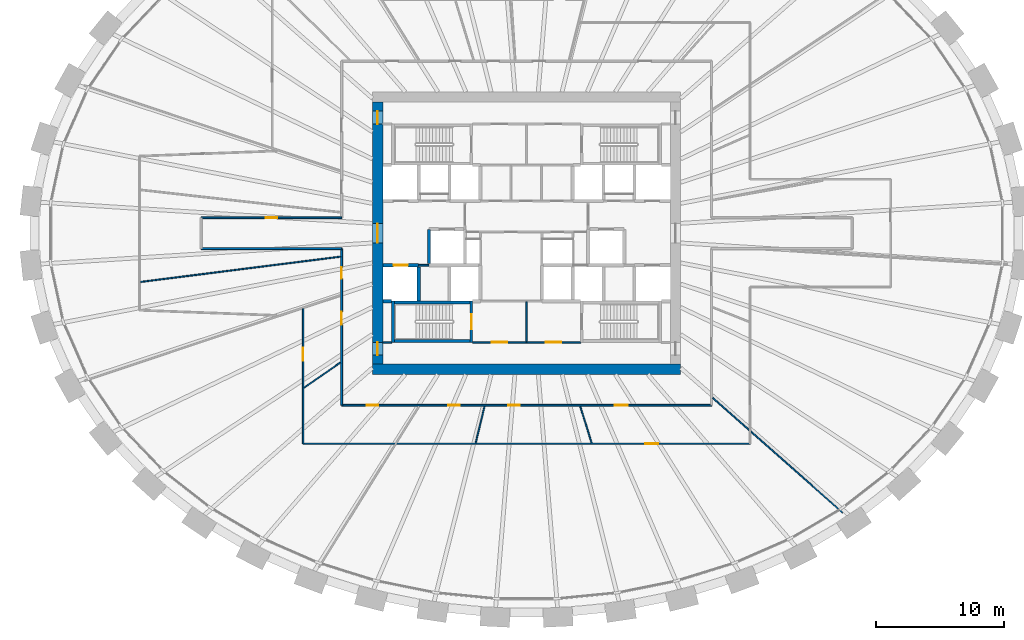
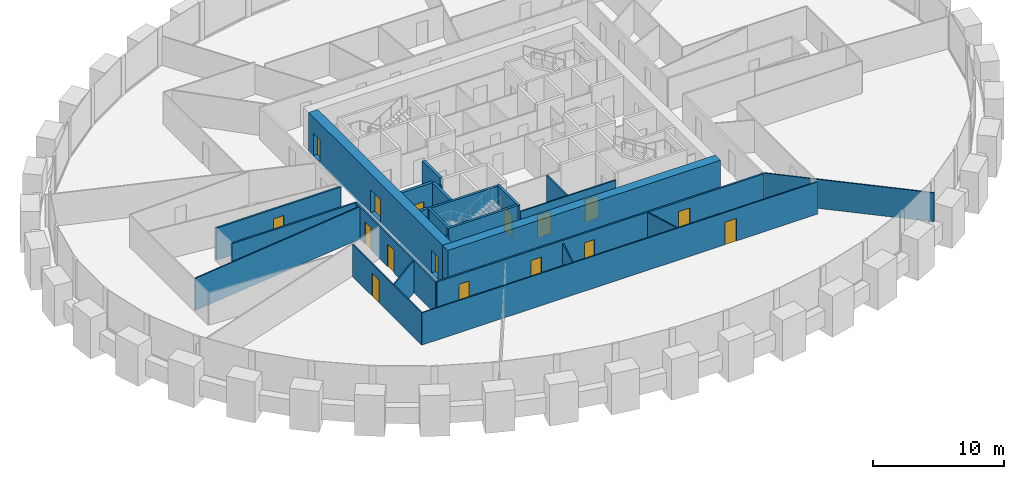
# One storey, part 6 of 11: 25 walls, 16 doors, 16 openings.
"""IFC4 building model written with IfcOpenShell, lengths in metres."""

from ifc_helpers import new_model, si_unit, direction, frame, frame_2d, origin, place, context, subcontext, project, spatial, rectangle, extrude, source, transform, mapped, material, layer, layer_set, type_object, element, fill, save


model = new_model("IFC4")

# Units and contexts
model_context = context("Model", 3, precision=1e-05, world=origin(), true_north=direction((0.0, 1.0)))
body_context = subcontext(model_context, "Body", "Model", "MODEL_VIEW")
ifc_project = project(units=[si_unit("LENGTHUNIT", "METRE"), si_unit("AREAUNIT", "SQUARE_METRE"), si_unit("VOLUMEUNIT", "CUBIC_METRE"), si_unit("PLANEANGLEUNIT", "RADIAN"), si_unit("MASSUNIT", "GRAM", prefix="KILO")], contexts=[model_context])

# Site, building, storey
site_placement = place(None, origin())
site = spatial("IfcSite", under=ifc_project, at=site_placement, CompositionType="ELEMENT")
building_placement = place(site_placement, origin())
building = spatial("IfcBuilding", under=site, at=building_placement, Name="Embergate Tower", CompositionType="ELEMENT")
storey_placement = place(building_placement, frame((0.0, 0.0, 143.699951171875)))
storey = spatial("IfcBuildingStorey", under=building, at=storey_placement, Name="L31", CompositionType="ELEMENT", Elevation=143.699951171875)

# Wall
ifc_material_1 = material(Name="Concrete C70", Category="concrete")
ifc_layer_1 = layer(ifc_material_1, 0.800048828125)
ifc_layer_set_1 = layer_set([ifc_layer_1], Name="Concrete C70")
wall_type_1 = type_object("IfcWallType", Name="Core outer wall C70 800", PredefinedType="SHEAR", material=ifc_layer_set_1)
shared_shape_1 = source(origin(), body_context, "Body", "SweptSolid", [
    extrude(rectangle(XDim=24.0, YDim=0.800048828125, at=frame_2d((12.0, 0.0))), origin(), (0.0, 0.0, 1.0), 3.800048828125),
])
wall_1_placement = place(storey_placement, frame((-12.0, -10.60009765625, -0.199951171875), z_axis=(0.0, 0.0, 1.0), x_axis=(1.0, 0.0, 0.0)))
element("IfcWall", 1, at=wall_1_placement, inside=storey, type_object=wall_type_1, Name="CW-L31-S", PredefinedType="SHEAR", context=body_context, shape_type="MappedRepresentation", body=[
    mapped(shared_shape_1, transform((0.0, 0.0, 0.0))),
])

# Wall, openings, doors
shared_shape_2 = source(origin(), body_context, "Body", "SweptSolid", [
    extrude(rectangle(XDim=20.39990234375, YDim=0.800048828125, at=frame_2d((10.199951171875, 0.0))), origin(), (0.0, 0.0, 1.0), 3.800048828125),
])
wall_2_placement = place(storey_placement, frame((-11.60009765625, -10.199951171875, -0.199951171875), z_axis=(0.0, 0.0, 1.0), x_axis=(0.0, 1.0, 0.0)))
wall_2 = element("IfcWall", 2, at=wall_2_placement, inside=storey, type_object=wall_type_1, Name="CW-L31-W", PredefinedType="SHEAR", context=body_context, shape_type="MappedRepresentation", body=[
    mapped(shared_shape_2, transform((0.0, 0.0, 0.0))),
])
shared_shape_3 = source(origin(), body_context, "Body", "SweptSolid", [
    extrude(rectangle(XDim=1.0, YDim=2.10009765625, at=frame_2d((0.5, 1.050048828125))), frame((0.0, 0.409912109375, 0.0), z_axis=(0.0, -1.0, 0.0), x_axis=(1.0, 0.0, 0.0)), (0.0, 0.0, 1.0), 0.820068359375),
])
opening_1_placement = place(wall_2_placement, frame((18.699951171875, 0.0, 0.199951171875)))
opening_1 = element("IfcOpeningElement", 3, at=opening_1_placement, cuts=wall_2, Name="Opening IF-1d", PredefinedType="OPENING", context=body_context, shape_type="MappedRepresentation", body=[
    mapped(shared_shape_3, transform((0.0, 0.0, 0.0))),
])
opening_2_placement = place(wall_2_placement, frame((0.699951171875, 0.0, 0.199951171875)))
opening_2 = element("IfcOpeningElement", 4, at=opening_2_placement, cuts=wall_2, Name="Opening IF-1d", PredefinedType="OPENING", context=body_context, shape_type="MappedRepresentation", body=[
    mapped(shared_shape_3, transform((0.0, 0.0, 0.0))),
])
shared_shape_4 = source(origin(), body_context, "Body", "SweptSolid", [
    extrude(rectangle(XDim=1.5, YDim=2.10009765625, at=frame_2d((0.75, 1.050048828125))), frame((0.0, 0.409912109375, 0.0), z_axis=(0.0, -1.0, 0.0), x_axis=(1.0, 0.0, 0.0)), (0.0, 0.0, 1.0), 0.820068359375),
])
opening_3_placement = place(wall_2_placement, frame((9.449951171875, 0.0, 0.199951171875)))
opening_3 = element("IfcOpeningElement", 5, at=opening_3_placement, cuts=wall_2, Name="Opening IF-3", PredefinedType="OPENING", context=body_context, shape_type="MappedRepresentation", body=[
    mapped(shared_shape_4, transform((0.0, 0.0, 0.0))),
])
ifc_material_2 = material(Name="Lobby fire door pair 1500")
door_type_1 = type_object("IfcDoorType", Name="Lobby fire door pair 1500", OperationType="DOUBLE_DOOR_SINGLE_SWING", PredefinedType="DOOR", material=ifc_material_2)
shared_shape_5 = source(origin(), body_context, "Body", "SweptSolid", [
    extrude(rectangle(XDim=1.5, YDim=2.10009765625, at=frame_2d((0.75, 1.050048828125))), frame((0.0, 0.02490234375, 0.0), z_axis=(0.0, -1.0, 0.0), x_axis=(1.0, 0.0, 0.0)), (0.0, 0.0, 1.0), 0.050048828125),
])
door_1_placement = place(opening_3_placement, origin())
door_1 = element("IfcDoor", 6, at=door_1_placement, inside=storey, type_object=door_type_1, Name="IF-3 door", OperationType="DOUBLE_DOOR_SINGLE_SWING", OverallHeight=2.10009765625, OverallWidth=1.5, PredefinedType="DOOR", context=body_context, shape_type="MappedRepresentation", body=[
    mapped(shared_shape_5, transform((0.0, 0.0, 0.0))),
])
fill(opening_3, door_1)
ifc_material_3 = material(Name="Escape fire door 1000")
door_type_2 = type_object("IfcDoorType", Name="Escape fire door 1000", OperationType="SINGLE_SWING_LEFT", PredefinedType="DOOR", material=ifc_material_3)
shared_shape_6 = source(origin(), body_context, "Body", "SweptSolid", [
    extrude(rectangle(XDim=1.0, YDim=2.10009765625, at=frame_2d((0.5, 1.050048828125))), frame((0.0, 0.02490234375, 0.0), z_axis=(0.0, -1.0, 0.0), x_axis=(1.0, 0.0, 0.0)), (0.0, 0.0, 1.0), 0.050048828125),
])
door_2_placement = place(opening_1_placement, origin())
door_2 = element("IfcDoor", 7, at=door_2_placement, inside=storey, type_object=door_type_2, Name="IF-1 door", OperationType="SINGLE_SWING_LEFT", OverallHeight=2.10009765625, OverallWidth=1.0, PredefinedType="DOOR", context=body_context, shape_type="MappedRepresentation", body=[
    mapped(shared_shape_6, transform((0.0, 0.0, 0.0))),
])
fill(opening_1, door_2)
door_3_placement = place(opening_2_placement, origin())
door_3 = element("IfcDoor", 8, at=door_3_placement, inside=storey, type_object=door_type_2, Name="IF-1 door", OperationType="SINGLE_SWING_RIGHT", OverallHeight=2.10009765625, OverallWidth=1.0, PredefinedType="DOOR", context=body_context, shape_type="MappedRepresentation", body=[
    mapped(shared_shape_6, transform((0.0, 0.0, 0.0))),
])
fill(opening_2, door_3)

# Walls
ifc_material_4 = material(Name="Concrete C50", Category="concrete")
ifc_layer_2 = layer(ifc_material_4, 0.25)
ifc_layer_set_2 = layer_set([ifc_layer_2], Name="Concrete C50")
wall_type_2 = type_object("IfcWallType", Name="Hoistway wall reinforced concrete 250", PredefinedType="SHEAR", material=ifc_layer_set_2)
shared_shape_7 = source(origin(), body_context, "Body", "SweptSolid", [
    extrude(rectangle(XDim=2.675048828125, YDim=0.25, at=frame_2d((1.33740234375, 0.0))), origin(), (0.0, 0.0, 1.0), 3.60009765625),
])
wall_3_placement = place(storey_placement, frame((-7.60009765625, 0.300048828125, 0.0), z_axis=(0.0, 0.0, 1.0), x_axis=(0.0, -1.0, 0.0)))
element("IfcWall", 9, at=wall_3_placement, inside=storey, type_object=wall_type_2, Name="HW-1 wall", PredefinedType="SHEAR", context=body_context, shape_type="MappedRepresentation", body=[
    mapped(shared_shape_7, transform((0.0, 0.0, 0.0))),
])
ifc_layer_3 = layer(ifc_material_4, 0.199951171875)
ifc_layer_set_3 = layer_set([ifc_layer_3], Name="Concrete C50")
wall_type_3 = type_object("IfcWallType", Name="Stair enclosure wall reinforced concrete 250", PredefinedType="SHEAR", material=ifc_layer_set_3)
shared_shape_8 = source(origin(), body_context, "Body", "SweptSolid", [
    extrude(rectangle(XDim=6.300048828125, YDim=0.199951171875, at=frame_2d((3.14990234375, 0.0))), origin(), (0.0, 0.0, 1.0), 3.60009765625),
])
for number, where, z_axis, x_axis, name in (
    (10, (-10.5, -5.39990234375, 0.0), (0.0, 0.0, 1.0), (1.0, 0.0, 0.0), "SE-1 wall"),
    (11, (-10.5, -8.39990234375, 0.0), (0.0, 0.0, 1.0), (1.0, 0.0, 0.0), "SE-1 wall"),
):
    element("IfcWall", number, at=place(storey_placement, frame(where, z_axis=z_axis, x_axis=x_axis)), inside=storey, type_object=wall_type_3, Name=name, PredefinedType="SHEAR", context=body_context, shape_type="MappedRepresentation", body=[
        mapped(shared_shape_8, transform((0.0, 0.0, 0.0))),
    ])

# Wall, opening, door
shared_shape_9 = source(origin(), body_context, "Body", "SweptSolid", [
    extrude(rectangle(XDim=3.199951171875, YDim=0.199951171875, at=frame_2d((1.60009765625, 0.0))), origin(), (0.0, 0.0, 1.0), 3.60009765625),
])
wall_4_placement = place(storey_placement, frame((-4.300048828125, -8.5, 0.0), z_axis=(0.0, 0.0, 1.0), x_axis=(0.0, 1.0, 0.0)))
wall_4 = element("IfcWall", 12, at=wall_4_placement, inside=storey, type_object=wall_type_3, Name="SE-1 wall", PredefinedType="SHEAR", context=body_context, shape_type="MappedRepresentation", body=[
    mapped(shared_shape_9, transform((0.0, 0.0, 0.0))),
])
shared_shape_10 = source(origin(), body_context, "Body", "SweptSolid", [
    extrude(rectangle(XDim=1.199951171875, YDim=2.10009765625, at=frame_2d((0.60009765625, 1.050048828125))), frame((0.0, 0.10986328125, 0.0), z_axis=(0.0, -1.0, 0.0), x_axis=(1.0, 0.0, 0.0)), (0.0, 0.0, 1.0), 0.219970703125),
])
opening_4_placement = place(wall_4_placement, frame((1.0, 0.0, 0.0)))
opening_4 = element("IfcOpeningElement", 13, at=opening_4_placement, cuts=wall_4, Name="Opening IF-2", PredefinedType="OPENING", context=body_context, shape_type="MappedRepresentation", body=[
    mapped(shared_shape_10, transform((0.0, 0.0, 0.0))),
])
ifc_material_5 = material(Name="Stair enclosure door 1200")
door_type_3 = type_object("IfcDoorType", Name="Stair enclosure door 1200", OperationType="SINGLE_SWING_LEFT", PredefinedType="DOOR", material=ifc_material_5)
shared_shape_11 = source(origin(), body_context, "Body", "SweptSolid", [
    extrude(rectangle(XDim=1.199951171875, YDim=2.10009765625, at=frame_2d((0.60009765625, 1.050048828125))), frame((0.0, 0.02490234375, 0.0), z_axis=(0.0, -1.0, 0.0), x_axis=(1.0, 0.0, 0.0)), (0.0, 0.0, 1.0), 0.050048828125),
])
door_4_placement = place(opening_4_placement, origin())
door_4 = element("IfcDoor", 14, at=door_4_placement, inside=storey, type_object=door_type_3, Name="IF-2 door", OperationType="SINGLE_SWING_RIGHT", OverallHeight=2.10009765625, OverallWidth=1.199951171875, PredefinedType="DOOR", context=body_context, shape_type="MappedRepresentation", body=[
    mapped(shared_shape_11, transform((0.0, 0.0, 0.0))),
])
fill(opening_4, door_4)

# Wall, openings, doors
ifc_material_6 = material(Name="Core partition blockwork 120")
ifc_layer_4 = layer(ifc_material_6, 0.1201171875)
ifc_layer_set_4 = layer_set([ifc_layer_4], Name="Core partition blockwork 120")
wall_type_4 = type_object("IfcWallType", Name="Core partition blockwork 120", PredefinedType="PARTITIONING", material=ifc_layer_set_4)
shared_shape_12 = source(origin(), body_context, "Body", "SweptSolid", [
    extrude(rectangle(XDim=8.39990234375, YDim=0.1201171875, at=frame_2d((4.199951171875, 0.0))), origin(), (0.0, 0.0, 1.0), 3.0),
])
wall_5_placement = place(storey_placement, frame((-4.199951171875, -8.5, 0.0), z_axis=(0.0, 0.0, 1.0), x_axis=(1.0, 0.0, 0.0)))
wall_5 = element("IfcWall", 15, at=wall_5_placement, inside=storey, type_object=wall_type_4, Name="IP-3 wall", PredefinedType="PARTITIONING", context=body_context, shape_type="MappedRepresentation", body=[
    mapped(shared_shape_12, transform((0.0, 0.0, 0.0))),
])
shared_shape_13 = source(origin(), body_context, "Body", "SweptSolid", [
    extrude(rectangle(XDim=1.199951171875, YDim=2.10009765625, at=frame_2d((0.60009765625, 1.050048828125))), frame((0.0, 0.070068359375, 0.0), z_axis=(0.0, -1.0, 0.0), x_axis=(1.0, 0.0, 0.0)), (0.0, 0.0, 1.0), 0.14013671875),
])
opening_5_placement = place(wall_5_placement, frame((1.5, 0.0, 0.0)))
opening_5 = element("IfcOpeningElement", 16, at=opening_5_placement, cuts=wall_5, Name="Opening IF-3f", PredefinedType="OPENING", context=body_context, shape_type="MappedRepresentation", body=[
    mapped(shared_shape_13, transform((0.0, 0.0, 0.0))),
])
opening_6_placement = place(wall_5_placement, frame((5.699951171875, 0.0, 0.0)))
opening_6 = element("IfcOpeningElement", 17, at=opening_6_placement, cuts=wall_5, Name="Opening IF-3f", PredefinedType="OPENING", context=body_context, shape_type="MappedRepresentation", body=[
    mapped(shared_shape_13, transform((0.0, 0.0, 0.0))),
])
ifc_material_7 = material(Name="Lobby fire door pair 1200")
door_type_4 = type_object("IfcDoorType", Name="Lobby fire door pair 1200", OperationType="DOUBLE_DOOR_SINGLE_SWING", PredefinedType="DOOR", material=ifc_material_7)
door_5_placement = place(opening_5_placement, origin())
door_5 = element("IfcDoor", 18, at=door_5_placement, inside=storey, type_object=door_type_4, Name="IF-3 door", OperationType="DOUBLE_DOOR_SINGLE_SWING", OverallHeight=2.10009765625, OverallWidth=1.199951171875, PredefinedType="DOOR", context=body_context, shape_type="MappedRepresentation", body=[
    mapped(shared_shape_11, transform((0.0, 0.0, 0.0))),
])
fill(opening_5, door_5)
door_6_placement = place(opening_6_placement, origin())
door_6 = element("IfcDoor", 19, at=door_6_placement, inside=storey, type_object=door_type_4, Name="IF-3 door", OperationType="DOUBLE_DOOR_SINGLE_SWING", OverallHeight=2.10009765625, OverallWidth=1.199951171875, PredefinedType="DOOR", context=body_context, shape_type="MappedRepresentation", body=[
    mapped(shared_shape_11, transform((0.0, 0.0, 0.0))),
])
fill(opening_6, door_6)

ifc_material_8 = material(Name="Corridor wall dry-lined 150")
ifc_layer_5 = layer(ifc_material_8, 0.14990234375)
ifc_layer_set_5 = layer_set([ifc_layer_5], Name="Corridor wall dry-lined 150")
wall_type_5 = type_object("IfcWallType", Name="Corridor wall dry-lined 150", PredefinedType="PARTITIONING", material=ifc_layer_set_5)
shared_shape_14 = source(origin(), body_context, "Body", "SweptSolid", [
    extrude(rectangle(XDim=12.199951171875, YDim=0.14990234375, at=frame_2d((6.10009765625, 0.0))), origin(), (0.0, 0.0, 1.0), 3.0),
])
wall_6_placement = place(storey_placement, frame((-14.39990234375, -13.39990234375, 0.0), z_axis=(0.0, 0.0, 1.0), x_axis=(0.0, 1.0, 0.0)))
wall_6 = element("IfcWall", 20, at=wall_6_placement, inside=storey, type_object=wall_type_5, Name="IP-2 wall", PredefinedType="PARTITIONING", context=body_context, shape_type="MappedRepresentation", body=[
    mapped(shared_shape_14, transform((0.0, 0.0, 0.0))),
])
shared_shape_15 = source(origin(), body_context, "Body", "SweptSolid", [
    extrude(rectangle(XDim=1.0, YDim=2.10009765625, at=frame_2d((0.5, 1.050048828125))), frame((0.0, 0.0849609375, 0.0), z_axis=(0.0, -1.0, 0.0), x_axis=(1.0, 0.0, 0.0)), (0.0, 0.0, 1.0), 0.169921875),
])
opening_7_placement = place(wall_6_placement, frame((6.282958984375, 0.0, 0.0)))
opening_7 = element("IfcOpeningElement", 21, at=opening_7_placement, cuts=wall_6, Name="Opening ID-2", PredefinedType="OPENING", context=body_context, shape_type="MappedRepresentation", body=[
    mapped(shared_shape_15, transform((0.0, 0.0, 0.0))),
])
shared_shape_16 = source(origin(), body_context, "Body", "SweptSolid", [
    extrude(rectangle(XDim=0.89990234375, YDim=2.10009765625, at=frame_2d((0.449951171875, 1.050048828125))), frame((0.0, 0.0849609375, 0.0), z_axis=(0.0, -1.0, 0.0), x_axis=(1.0, 0.0, 0.0)), (0.0, 0.0, 1.0), 0.169921875),
])
opening_8_placement = place(wall_6_placement, frame((9.843994140625, 0.0, 0.0)))
opening_8 = element("IfcOpeningElement", 22, at=opening_8_placement, cuts=wall_6, Name="Opening IF-1c", PredefinedType="OPENING", context=body_context, shape_type="MappedRepresentation", body=[
    mapped(shared_shape_16, transform((0.0, 0.0, 0.0))),
])
ifc_material_9 = material(Name="Escape fire door 900")
door_type_5 = type_object("IfcDoorType", Name="Escape fire door 900", OperationType="SINGLE_SWING_LEFT", PredefinedType="DOOR", material=ifc_material_9)
shared_shape_17 = source(origin(), body_context, "Body", "SweptSolid", [
    extrude(rectangle(XDim=0.89990234375, YDim=2.10009765625, at=frame_2d((0.449951171875, 1.050048828125))), frame((0.0, 0.02490234375, 0.0), z_axis=(0.0, -1.0, 0.0), x_axis=(1.0, 0.0, 0.0)), (0.0, 0.0, 1.0), 0.050048828125),
])
door_7_placement = place(opening_8_placement, origin())
door_7 = element("IfcDoor", 23, at=door_7_placement, inside=storey, type_object=door_type_5, Name="IF-1 door", OperationType="SINGLE_SWING_RIGHT", OverallHeight=2.10009765625, OverallWidth=0.89990234375, PredefinedType="DOOR", context=body_context, shape_type="MappedRepresentation", body=[
    mapped(shared_shape_17, transform((0.0, 0.0, 0.0))),
])
fill(opening_8, door_7)
ifc_material_10 = material(Name="Interior door 1000")
door_type_6 = type_object("IfcDoorType", Name="Interior door 1000", OperationType="SINGLE_SWING_LEFT", PredefinedType="DOOR", material=ifc_material_10)
door_8_placement = place(opening_7_placement, origin())
door_8 = element("IfcDoor", 24, at=door_8_placement, inside=storey, type_object=door_type_6, Name="ID-2 door", OperationType="SINGLE_SWING_RIGHT", OverallHeight=2.10009765625, OverallWidth=1.0, PredefinedType="DOOR", context=body_context, shape_type="MappedRepresentation", body=[
    mapped(shared_shape_6, transform((0.0, 0.0, 0.0))),
])
fill(opening_7, door_8)

shared_shape_18 = source(origin(), body_context, "Body", "SweptSolid", [
    extrude(rectangle(XDim=28.7998046875, YDim=0.14990234375, at=frame_2d((14.39990234375, 0.0))), origin(), (0.0, 0.0, 1.0), 3.0),
])
wall_7_placement = place(storey_placement, frame((14.39990234375, -13.39990234375, 0.0), z_axis=(0.0, 0.0, 1.0), x_axis=(-1.0, 0.0, 0.0)))
wall_7 = element("IfcWall", 25, at=wall_7_placement, inside=storey, type_object=wall_type_5, Name="IP-2 wall", PredefinedType="PARTITIONING", context=body_context, shape_type="MappedRepresentation", body=[
    mapped(shared_shape_18, transform((0.0, 0.0, 0.0))),
])
opening_9_placement = place(wall_7_placement, frame((25.952880859375, 0.0, 0.0)))
opening_9 = element("IfcOpeningElement", 26, at=opening_9_placement, cuts=wall_7, Name="Opening IF-1c", PredefinedType="OPENING", context=body_context, shape_type="MappedRepresentation", body=[
    mapped(shared_shape_16, transform((0.0, 0.0, 0.0))),
])
opening_10_placement = place(wall_7_placement, frame((19.595947265625, 0.0, 0.0)))
opening_10 = element("IfcOpeningElement", 27, at=opening_10_placement, cuts=wall_7, Name="Opening IF-1c", PredefinedType="OPENING", context=body_context, shape_type="MappedRepresentation", body=[
    mapped(shared_shape_16, transform((0.0, 0.0, 0.0))),
])
opening_11_placement = place(wall_7_placement, frame((14.916015625, 0.0, 0.0)))
opening_11 = element("IfcOpeningElement", 28, at=opening_11_placement, cuts=wall_7, Name="Opening IF-1c", PredefinedType="OPENING", context=body_context, shape_type="MappedRepresentation", body=[
    mapped(shared_shape_16, transform((0.0, 0.0, 0.0))),
])
opening_12_placement = place(wall_7_placement, frame((6.52587890625, 0.0, 0.0)))
opening_12 = element("IfcOpeningElement", 29, at=opening_12_placement, cuts=wall_7, Name="Opening ID-2", PredefinedType="OPENING", context=body_context, shape_type="MappedRepresentation", body=[
    mapped(shared_shape_15, transform((0.0, 0.0, 0.0))),
])
door_9_placement = place(opening_9_placement, origin())
door_9 = element("IfcDoor", 30, at=door_9_placement, inside=storey, type_object=door_type_5, Name="IF-1 door", OperationType="SINGLE_SWING_RIGHT", OverallHeight=2.10009765625, OverallWidth=0.89990234375, PredefinedType="DOOR", context=body_context, shape_type="MappedRepresentation", body=[
    mapped(shared_shape_17, transform((0.0, 0.0, 0.0))),
])
fill(opening_9, door_9)
door_10_placement = place(opening_10_placement, origin())
door_10 = element("IfcDoor", 31, at=door_10_placement, inside=storey, type_object=door_type_5, Name="IF-1 door", OperationType="SINGLE_SWING_RIGHT", OverallHeight=2.10009765625, OverallWidth=0.89990234375, PredefinedType="DOOR", context=body_context, shape_type="MappedRepresentation", body=[
    mapped(shared_shape_17, transform((0.0, 0.0, 0.0))),
])
fill(opening_10, door_10)
door_11_placement = place(opening_11_placement, origin())
door_11 = element("IfcDoor", 32, at=door_11_placement, inside=storey, type_object=door_type_5, Name="IF-1 door", OperationType="SINGLE_SWING_LEFT", OverallHeight=2.10009765625, OverallWidth=0.89990234375, PredefinedType="DOOR", context=body_context, shape_type="MappedRepresentation", body=[
    mapped(shared_shape_17, transform((0.0, 0.0, 0.0))),
])
fill(opening_11, door_11)
door_12_placement = place(opening_12_placement, origin())
door_12 = element("IfcDoor", 33, at=door_12_placement, inside=storey, type_object=door_type_6, Name="ID-2 door", OperationType="SINGLE_SWING_LEFT", OverallHeight=2.10009765625, OverallWidth=1.0, PredefinedType="DOOR", context=body_context, shape_type="MappedRepresentation", body=[
    mapped(shared_shape_6, transform((0.0, 0.0, 0.0))),
])
fill(opening_12, door_12)

# Wall
shared_shape_19 = source(origin(), body_context, "Body", "SweptSolid", [
    extrude(rectangle(XDim=10.9501953125, YDim=0.14990234375, at=frame_2d((5.47509765625, 0.0))), origin(), (0.0, 0.0, 1.0), 3.0),
])
wall_8_placement = place(storey_placement, frame((-14.39990234375, -1.199951171875, 0.0), z_axis=(0.0, 0.0, 1.0), x_axis=(-1.0, 0.0, 0.0)))
element("IfcWall", 34, at=wall_8_placement, inside=storey, type_object=wall_type_5, Name="IP-2 wall", PredefinedType="PARTITIONING", context=body_context, shape_type="MappedRepresentation", body=[
    mapped(shared_shape_19, transform((0.0, 0.0, 0.0))),
])

# Wall, opening, door
wall_9_placement = place(storey_placement, frame((-25.35009765625, 1.199951171875, 0.0), z_axis=(0.0, 0.0, 1.0), x_axis=(1.0, 0.0, 0.0)))
wall_9 = element("IfcWall", 35, at=wall_9_placement, inside=storey, type_object=wall_type_5, Name="IP-2 wall", PredefinedType="PARTITIONING", context=body_context, shape_type="MappedRepresentation", body=[
    mapped(shared_shape_19, transform((0.0, 0.0, 0.0))),
])
opening_13_placement = place(wall_9_placement, frame((5.02490234375, 0.0, 0.0)))
opening_13 = element("IfcOpeningElement", 36, at=opening_13_placement, cuts=wall_9, Name="Opening IF-1c", PredefinedType="OPENING", context=body_context, shape_type="MappedRepresentation", body=[
    mapped(shared_shape_16, transform((0.0, 0.0, 0.0))),
])
door_13_placement = place(opening_13_placement, origin())
door_13 = element("IfcDoor", 37, at=door_13_placement, inside=storey, type_object=door_type_5, Name="IF-1 door", OperationType="SINGLE_SWING_RIGHT", OverallHeight=2.10009765625, OverallWidth=0.89990234375, PredefinedType="DOOR", context=body_context, shape_type="MappedRepresentation", body=[
    mapped(shared_shape_17, transform((0.0, 0.0, 0.0))),
])
fill(opening_13, door_13)

# Wall
ifc_material_11 = material(Name="Partition dry-lined 100")
ifc_layer_6 = layer(ifc_material_11, 0.10009765625)
ifc_layer_set_6 = layer_set([ifc_layer_6], Name="Partition dry-lined 100")
wall_type_6 = type_object("IfcWallType", Name="Partition dry-lined 100", PredefinedType="PARTITIONING", material=ifc_layer_set_6)
shared_shape_20 = source(origin(), body_context, "Body", "SweptSolid", [
    extrude(rectangle(XDim=3.432373046875, YDim=0.10009765625, at=frame_2d((1.71630859375, 0.0))), origin(), (0.0, 0.0, 1.0), 3.0),
])
wall_10_placement = place(storey_placement, frame((-14.50390625, -10.077880859375, 0.0), z_axis=(0.0, 0.0, 1.0), x_axis=(-0.821068996607, -0.570828961082, 0.0)))
element("IfcWall", 38, at=wall_10_placement, inside=storey, type_object=wall_type_6, Name="IP-1 wall", PredefinedType="PARTITIONING", context=body_context, shape_type="MappedRepresentation", body=[
    mapped(shared_shape_20, transform((0.0, 0.0, 0.0))),
])

# Wall, opening, door
shared_shape_21 = source(origin(), body_context, "Body", "SweptSolid", [
    extrude(rectangle(XDim=10.518798828125, YDim=0.10009765625, at=frame_2d((5.25927734375, 0.0))), origin(), (0.0, 0.0, 1.0), 3.0),
])
wall_11_placement = place(storey_placement, frame((-17.39990234375, -16.39990234375, 0.0), z_axis=(0.0, 0.0, 1.0), x_axis=(0.0, 1.0, 0.0)))
wall_11 = element("IfcWall", 39, at=wall_11_placement, inside=storey, type_object=wall_type_6, Name="IP-1 wall", PredefinedType="PARTITIONING", context=body_context, shape_type="MappedRepresentation", body=[
    mapped(shared_shape_21, transform((0.0, 0.0, 0.0))),
])
shared_shape_22 = source(origin(), body_context, "Body", "SweptSolid", [
    extrude(rectangle(XDim=1.0, YDim=2.10009765625, at=frame_2d((0.5, 1.050048828125))), frame((0.0, 0.06005859375, 0.0), z_axis=(0.0, -1.0, 0.0), x_axis=(1.0, 0.0, 0.0)), (0.0, 0.0, 1.0), 0.1201171875),
])
opening_14_placement = place(wall_11_placement, frame((6.48095703125, 0.0, 0.0)))
opening_14 = element("IfcOpeningElement", 40, at=opening_14_placement, cuts=wall_11, Name="Opening ID-2", PredefinedType="OPENING", context=body_context, shape_type="MappedRepresentation", body=[
    mapped(shared_shape_22, transform((0.0, 0.0, 0.0))),
])
door_14_placement = place(opening_14_placement, origin())
door_14 = element("IfcDoor", 41, at=door_14_placement, inside=storey, type_object=door_type_6, Name="ID-2 door", OperationType="SINGLE_SWING_RIGHT", OverallHeight=2.10009765625, OverallWidth=1.0, PredefinedType="DOOR", context=body_context, shape_type="MappedRepresentation", body=[
    mapped(shared_shape_6, transform((0.0, 0.0, 0.0))),
])
fill(opening_14, door_14)

shared_shape_23 = source(origin(), body_context, "Body", "SweptSolid", [
    extrude(rectangle(XDim=34.7998046875, YDim=0.10009765625, at=frame_2d((17.39990234375, 0.0))), origin(), (0.0, 0.0, 1.0), 3.0),
])
wall_12_placement = place(storey_placement, frame((-17.39990234375, -16.39990234375, 0.0), z_axis=(0.0, 0.0, 1.0), x_axis=(1.0, 0.0, 0.0)))
wall_12 = element("IfcWall", 42, at=wall_12_placement, inside=storey, type_object=wall_type_6, Name="IP-1 wall", PredefinedType="PARTITIONING", context=body_context, shape_type="MappedRepresentation", body=[
    mapped(shared_shape_23, transform((0.0, 0.0, 0.0))),
])
opening_15_placement = place(wall_12_placement, frame((26.64111328125, 0.0, 0.0)))
opening_15 = element("IfcOpeningElement", 43, at=opening_15_placement, cuts=wall_12, Name="Opening ID-2", PredefinedType="OPENING", context=body_context, shape_type="MappedRepresentation", body=[
    mapped(shared_shape_22, transform((0.0, 0.0, 0.0))),
])
door_15_placement = place(opening_15_placement, origin())
door_15 = element("IfcDoor", 44, at=door_15_placement, inside=storey, type_object=door_type_6, Name="ID-2 door", OperationType="SINGLE_SWING_LEFT", OverallHeight=2.10009765625, OverallWidth=1.0, PredefinedType="DOOR", context=body_context, shape_type="MappedRepresentation", body=[
    mapped(shared_shape_6, transform((0.0, 0.0, 0.0))),
])
fill(opening_15, door_15)

# Walls
shared_shape_24 = source(origin(), body_context, "Body", "SweptSolid", [
    extrude(rectangle(XDim=2.93359375, YDim=0.10009765625, at=frame_2d((1.466796875, 0.0))), origin(), (0.0, 0.0, 1.0), 2.699951171875),
])
wall_13_placement = place(storey_placement, frame((-3.27294921875, -13.487060546875, 0.0), z_axis=(0.0, 0.0, 1.0), x_axis=(-0.235931090882, -0.971769787735, 0.0)))
element("IfcWall", 45, at=wall_13_placement, inside=storey, type_object=wall_type_6, Name="IP-1 wall", PredefinedType="PARTITIONING", context=body_context, shape_type="MappedRepresentation", body=[
    mapped(shared_shape_24, transform((0.0, 0.0, 0.0))),
])
shared_shape_25 = source(origin(), body_context, "Body", "SweptSolid", [
    extrude(rectangle(XDim=2.978515625, YDim=0.10009765625, at=frame_2d((1.4892578125, 0.0))), origin(), (0.0, 0.0, 1.0), 3.0),
])
wall_14_placement = place(storey_placement, frame((4.180908203125, -13.489990234375, 0.0), z_axis=(0.0, 0.0, 1.0), x_axis=(0.296141394979, -0.955144111734, 0.0)))
element("IfcWall", 46, at=wall_14_placement, inside=storey, type_object=wall_type_6, Name="IP-1 wall", PredefinedType="PARTITIONING", context=body_context, shape_type="MappedRepresentation", body=[
    mapped(shared_shape_25, transform((0.0, 0.0, 0.0))),
])
shared_shape_26 = source(origin(), body_context, "Body", "SweptSolid", [
    extrude(rectangle(XDim=13.4716796875, YDim=0.10009765625, at=frame_2d((6.73583984375, 0.0))), origin(), (0.0, 0.0, 1.0), 2.699951171875),
])
wall_15_placement = place(storey_placement, frame((14.508056640625, -12.83203125, 0.0), z_axis=(0.0, 0.0, 1.0), x_axis=(0.749057784808, -0.662504667922, 0.0)))
element("IfcWall", 47, at=wall_15_placement, inside=storey, type_object=wall_type_6, Name="IP-1 wall", PredefinedType="PARTITIONING", context=body_context, shape_type="MappedRepresentation", body=[
    mapped(shared_shape_26, transform((0.0, 0.0, 0.0))),
])
shared_shape_27 = source(origin(), body_context, "Body", "SweptSolid", [
    extrude(rectangle(XDim=15.7373046875, YDim=0.10009765625, at=frame_2d((7.86865234375, 0.0))), origin(), (0.0, 0.0, 1.0), 3.0),
])
wall_16_placement = place(storey_placement, frame((-14.48095703125, -1.830078125, 0.0), z_axis=(0.0, 0.0, 1.0), x_axis=(-0.992110630676, -0.125365451776, 0.0)))
element("IfcWall", 48, at=wall_16_placement, inside=storey, type_object=wall_type_6, Name="IP-1 wall", PredefinedType="PARTITIONING", context=body_context, shape_type="MappedRepresentation", body=[
    mapped(shared_shape_27, transform((0.0, 0.0, 0.0))),
])

# Wall, opening, door
shared_shape_28 = source(origin(), body_context, "Body", "SweptSolid", [
    extrude(rectangle(XDim=2.800048828125, YDim=0.25, at=frame_2d((1.39990234375, 0.0))), origin(), (0.0, 0.0, 1.0), 3.60009765625),
])
wall_17_placement = place(storey_placement, frame((-8.39990234375, -2.5, 0.0), z_axis=(0.0, 0.0, 1.0), x_axis=(-1.0, 0.0, 0.0)))
wall_17 = element("IfcWall", 49, at=wall_17_placement, inside=storey, type_object=wall_type_2, Name="HW-1 wall", PredefinedType="SHEAR", context=body_context, shape_type="MappedRepresentation", body=[
    mapped(shared_shape_28, transform((0.0, 0.0, 0.0))),
])
shared_shape_29 = source(origin(), body_context, "Body", "SweptSolid", [
    extrude(rectangle(XDim=1.10009765625, YDim=2.10009765625, at=frame_2d((0.550048828125, 1.050048828125))), frame((0.0, 0.135009765625, 0.0), z_axis=(0.0, -1.0, 0.0), x_axis=(1.0, 0.0, 0.0)), (0.0, 0.0, 1.0), 0.27001953125),
])
opening_16_placement = place(wall_17_placement, frame((0.85009765625, 0.0, 0.0)))
opening_16 = element("IfcOpeningElement", 50, at=opening_16_placement, cuts=wall_17, Name="Opening LD", PredefinedType="OPENING", context=body_context, shape_type="MappedRepresentation", body=[
    mapped(shared_shape_29, transform((0.0, 0.0, 0.0))),
])
ifc_material_12 = material(Name="Landing door sliding 1100")
door_type_7 = type_object("IfcDoorType", Name="Landing door sliding 1100", OperationType="SLIDING_TO_LEFT", PredefinedType="DOOR", material=ifc_material_12)
shared_shape_30 = source(origin(), body_context, "Body", "SweptSolid", [
    extrude(rectangle(XDim=1.10009765625, YDim=2.10009765625, at=frame_2d((0.550048828125, 1.050048828125))), frame((0.0, 0.02490234375, 0.0), z_axis=(0.0, -1.0, 0.0), x_axis=(1.0, 0.0, 0.0)), (0.0, 0.0, 1.0), 0.050048828125),
])
door_16_placement = place(opening_16_placement, origin())
door_16 = element("IfcDoor", 51, at=door_16_placement, inside=storey, type_object=door_type_7, Name="LD door", OperationType="SLIDING_TO_RIGHT", OverallHeight=2.10009765625, OverallWidth=1.10009765625, PredefinedType="DOOR", context=body_context, shape_type="MappedRepresentation", body=[
    mapped(shared_shape_30, transform((0.0, 0.0, 0.0))),
])
fill(opening_16, door_16)

# Walls
shared_shape_31 = source(origin(), body_context, "Body", "SweptSolid", [
    extrude(rectangle(XDim=3.079833984375, YDim=0.1201171875, at=frame_2d((1.5400390625, 0.0))), origin(), (0.0, 0.0, 1.0), 3.0),
])
wall_18_placement = place(storey_placement, frame((0.0, -8.43994140625, 0.0), z_axis=(0.0, 0.0, 1.0), x_axis=(0.0, 1.0, 0.0)))
element("IfcWall", 52, at=wall_18_placement, inside=storey, type_object=wall_type_4, Name="IP-3 wall", PredefinedType="PARTITIONING", context=body_context, shape_type="MappedRepresentation", body=[
    mapped(shared_shape_31, transform((0.0, 0.0, 0.0))),
])
shared_shape_32 = source(origin(), body_context, "Body", "SweptSolid", [
    extrude(rectangle(XDim=3.196044921875, YDim=0.199951171875, at=frame_2d((1.59814453125, 0.0))), origin(), (0.0, 0.0, 1.0), 3.60009765625),
])
wall_19_placement = place(storey_placement, frame((-10.39990234375, -5.302001953125, 0.0), z_axis=(0.0, 0.0, 1.0), x_axis=(0.0, -1.0, 0.0)))
element("IfcWall", 53, at=wall_19_placement, inside=storey, type_object=wall_type_3, Name="SE-1 wall", PredefinedType="SHEAR", context=body_context, shape_type="MappedRepresentation", body=[
    mapped(shared_shape_32, transform((0.0, 0.0, 0.0))),
])
shared_shape_33 = source(origin(), body_context, "Body", "SweptSolid", [
    extrude(rectangle(XDim=0.697998046875, YDim=0.25, at=frame_2d((0.34912109375, 0.0))), origin(), (0.0, 0.0, 1.0), 3.60009765625),
])
wall_20_placement = place(storey_placement, frame((-11.199951171875, -5.300048828125, 0.0), z_axis=(0.0, 0.0, 1.0), x_axis=(1.0, 0.0, 0.0)))
element("IfcWall", 54, at=wall_20_placement, inside=storey, type_object=wall_type_2, Name="HW-1 wall", PredefinedType="SHEAR", context=body_context, shape_type="MappedRepresentation", body=[
    mapped(shared_shape_33, transform((0.0, 0.0, 0.0))),
])
shared_shape_34 = source(origin(), body_context, "Body", "SweptSolid", [
    extrude(rectangle(XDim=2.671142578125, YDim=0.25, at=frame_2d((1.33544921875, 0.0))), origin(), (0.0, 0.0, 1.0), 3.60009765625),
])
wall_21_placement = place(storey_placement, frame((-8.39990234375, -5.298095703125, 0.0), z_axis=(0.0, 0.0, 1.0), x_axis=(0.0, 1.0, 0.0)))
element("IfcWall", 55, at=wall_21_placement, inside=storey, type_object=wall_type_2, Name="HW-1 wall", PredefinedType="SHEAR", context=body_context, shape_type="MappedRepresentation", body=[
    mapped(shared_shape_34, transform((0.0, 0.0, 0.0))),
])
shared_shape_35 = source(origin(), body_context, "Body", "SweptSolid", [
    extrude(rectangle(XDim=0.7958984375, YDim=0.1201171875, at=frame_2d((0.39794921875, 0.0))), origin(), (0.0, 0.0, 1.0), 3.0),
])
wall_22_placement = place(storey_placement, frame((-8.39794921875, -2.5, 0.0), z_axis=(0.0, 0.0, 1.0), x_axis=(1.0, 0.0, 0.0)))
element("IfcWall", 56, at=wall_22_placement, inside=storey, type_object=wall_type_4, Name="IP-3 wall", PredefinedType="PARTITIONING", context=body_context, shape_type="MappedRepresentation", body=[
    mapped(shared_shape_35, transform((0.0, 0.0, 0.0))),
])
shared_shape_36 = source(origin(), body_context, "Body", "SweptSolid", [
    extrude(rectangle(XDim=0.697998046875, YDim=0.1201171875, at=frame_2d((0.34912109375, 0.0))), origin(), (0.0, 0.0, 1.0), 3.0),
])
wall_23_placement = place(storey_placement, frame((-10.501953125, -8.5, 0.0), z_axis=(0.0, 0.0, 1.0), x_axis=(-1.0, 0.0, 0.0)))
element("IfcWall", 57, at=wall_23_placement, inside=storey, type_object=wall_type_4, Name="IP-3 wall", PredefinedType="PARTITIONING", context=body_context, shape_type="MappedRepresentation", body=[
    mapped(shared_shape_36, transform((0.0, 0.0, 0.0))),
])

save(model, "model.ifc")
